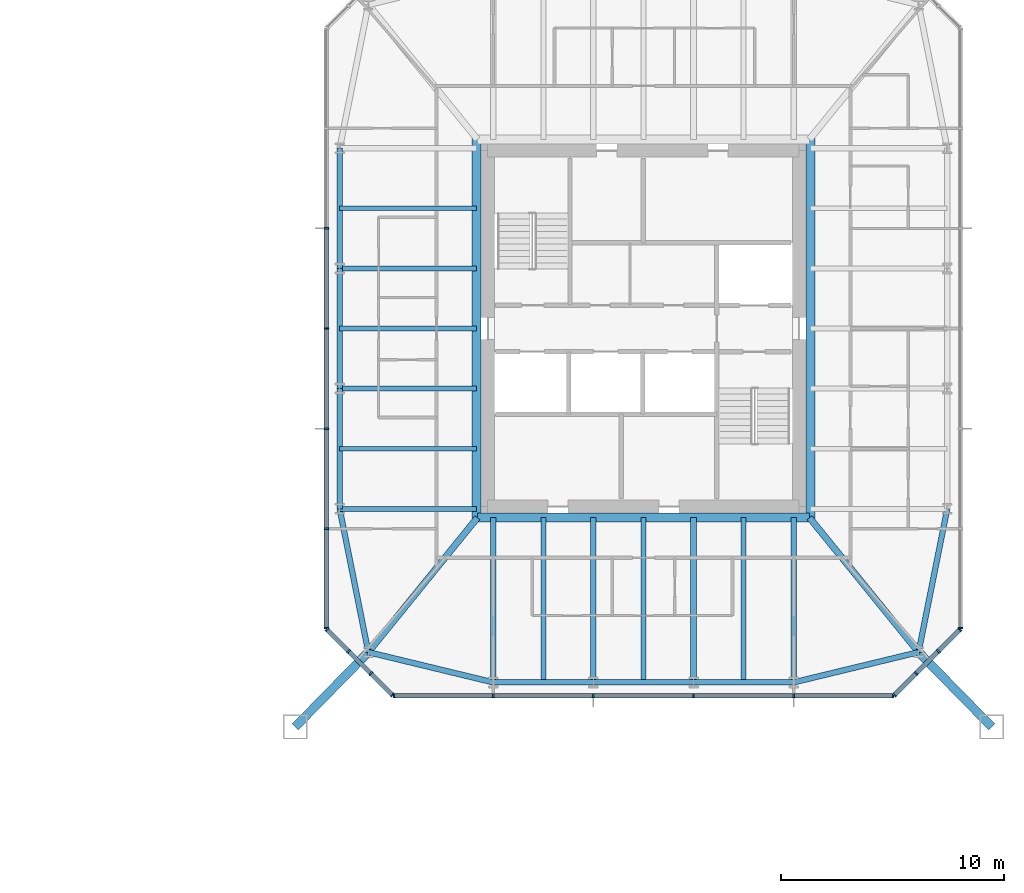
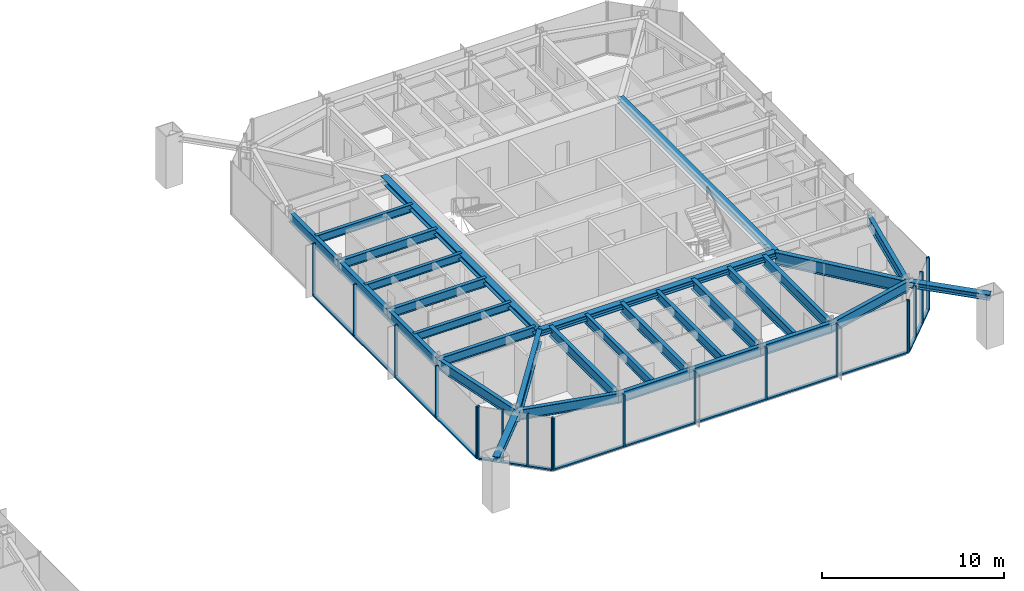
# One storey, part 8 of 25: 37 members, 28 beams, 5 elements without a shape of their own.
"""IFC4 building model written with IfcOpenShell, lengths in metres."""

from ifc_helpers import new_model, si_unit, direction, frame, origin, origin_2d, place, context, subcontext, project, spatial, rectangle, i_section, extrude, material, material_profile, profile_set, type_object, element, aggregate, save


model = new_model("IFC4")

# Units and contexts
model_context = context("Model", 3, precision=1e-05, world=origin(), true_north=direction((0.0, 1.0)))
body_context = subcontext(model_context, "Body", "Model", "MODEL_VIEW")
ifc_project = project(units=[si_unit("LENGTHUNIT", "METRE"), si_unit("AREAUNIT", "SQUARE_METRE"), si_unit("VOLUMEUNIT", "CUBIC_METRE"), si_unit("PLANEANGLEUNIT", "RADIAN"), si_unit("MASSUNIT", "GRAM", prefix="KILO")], contexts=[model_context])

# Site, building, storey
site_placement = place(None, origin())
site = spatial("IfcSite", under=ifc_project, at=site_placement, CompositionType="ELEMENT")
building_placement = place(site_placement, origin())
building = spatial("IfcBuilding", under=site, at=building_placement, Name="Iwan Alto Co-Living Towers", CompositionType="ELEMENT")
storey_placement = place(building_placement, frame((0.0, 0.0, 105.0)))
storey = spatial("IfcBuildingStorey", under=building, at=storey_placement, Name="L28", CompositionType="ELEMENT", Elevation=105.0)

# Curtain wall, members
ifc_material_1 = material(Name="Bronze aluminium unitised frame", Category="aluminium")
curtain_wall_type_1 = type_object("IfcCurtainWallType", Name="CURTAIN WALL CW-C", PredefinedType="NOTDEFINED", material=ifc_material_1)
curtain_wall_1_placement = place(storey_placement, origin())
curtain_wall_1 = element("IfcCurtainWall", 1, at=curtain_wall_1_placement, inside=storey, type_object=curtain_wall_type_1, Name="T2 curtain wall S L28", PredefinedType="NOTDEFINED")
ifc_material_2 = material(Name="Aluminium 6063-T6 bronze anodised", Category="aluminium")
ifc_material_profile_1 = material_profile(ifc_material_2, rectangle(XDim=0.199951171875, YDim=0.080078125, at=origin_2d()), Name="AL 80X200")
ifc_profile_set_1 = profile_set([ifc_material_profile_1], Name="Aluminium 6063-T6 bronze anodised")
member_type_1 = type_object("IfcMemberType", Name="CW-C MULLION 80X200", PredefinedType="MULLION", material=ifc_profile_set_1)
member_1_placement = place(storey_placement, frame((51.7900390625, -16.5, 0.0), z_axis=(0.0, 0.0, 1.0), x_axis=(0.0, 1.0, 0.0)))
member_1 = element("IfcMember", 2, at=member_1_placement, type_object=member_type_1, Name="CW-C mullion 1", PredefinedType="MULLION", context=body_context, shape_type="SweptSolid", body=[
    extrude(rectangle(XDim=0.199951171875, YDim=0.080078125, at=origin_2d()), origin(), (0.0, 0.0, 1.0), 3.5),
])
member_2_placement = place(storey_placement, frame((56.25, -16.5, 0.0), z_axis=(0.0, 0.0, 1.0), x_axis=(0.0, 1.0, 0.0)))
member_2 = element("IfcMember", 3, at=member_2_placement, type_object=member_type_1, Name="CW-C mullion 2", PredefinedType="MULLION", context=body_context, shape_type="SweptSolid", body=[
    extrude(rectangle(XDim=0.199951171875, YDim=0.080078125, at=origin_2d()), origin(), (0.0, 0.0, 1.0), 3.5),
])
member_3_placement = place(storey_placement, frame((60.75, -16.5, 0.0), z_axis=(0.0, 0.0, 1.0), x_axis=(0.0, 1.0, 0.0)))
member_3 = element("IfcMember", 4, at=member_3_placement, type_object=member_type_1, Name="CW-C mullion 3", PredefinedType="MULLION", context=body_context, shape_type="SweptSolid", body=[
    extrude(rectangle(XDim=0.199951171875, YDim=0.080078125, at=origin_2d()), origin(), (0.0, 0.0, 1.0), 3.5),
])
member_4_placement = place(storey_placement, frame((65.25, -16.5, 0.0), z_axis=(0.0, 0.0, 1.0), x_axis=(0.0, 1.0, 0.0)))
member_4 = element("IfcMember", 5, at=member_4_placement, type_object=member_type_1, Name="CW-C mullion 4", PredefinedType="MULLION", context=body_context, shape_type="SweptSolid", body=[
    extrude(rectangle(XDim=0.199951171875, YDim=0.080078125, at=origin_2d()), origin(), (0.0, 0.0, 1.0), 3.5),
])
member_5_placement = place(storey_placement, frame((69.75, -16.5, 0.0), z_axis=(0.0, 0.0, 1.0), x_axis=(0.0, 1.0, 0.0)))
member_5 = element("IfcMember", 6, at=member_5_placement, type_object=member_type_1, Name="CW-C mullion 5", PredefinedType="MULLION", context=body_context, shape_type="SweptSolid", body=[
    extrude(rectangle(XDim=0.199951171875, YDim=0.080078125, at=origin_2d()), origin(), (0.0, 0.0, 1.0), 3.5),
])
member_6_placement = place(storey_placement, frame((74.2099609375, -16.5, 0.0), z_axis=(0.0, 0.0, 1.0), x_axis=(0.0, 1.0, 0.0)))
member_6 = element("IfcMember", 7, at=member_6_placement, type_object=member_type_1, Name="CW-C mullion 6", PredefinedType="MULLION", context=body_context, shape_type="SweptSolid", body=[
    extrude(rectangle(XDim=0.199951171875, YDim=0.080078125, at=origin_2d()), origin(), (0.0, 0.0, 1.0), 3.5),
])

# Curtain wall, member
curtain_wall_2_placement = place(storey_placement, origin())
curtain_wall_2 = element("IfcCurtainWall", 8, at=curtain_wall_2_placement, inside=storey, type_object=curtain_wall_type_1, Name="T2 curtain wall E L28", PredefinedType="NOTDEFINED")
member_7_placement = place(storey_placement, frame((77.25, -13.4599609375, 0.0), z_axis=(0.0, 0.0, 1.0), x_axis=(-1.0, 0.0, 0.0)))
member_7 = element("IfcMember", 9, at=member_7_placement, type_object=member_type_1, Name="CW-C mullion 1", PredefinedType="MULLION", context=body_context, shape_type="SweptSolid", body=[
    extrude(rectangle(XDim=0.199951171875, YDim=0.080078125, at=origin_2d()), origin(), (0.0, 0.0, 1.0), 3.5),
])
aggregate(curtain_wall_2, [member_7])

# Curtain wall, members
curtain_wall_3_placement = place(storey_placement, origin())
curtain_wall_3 = element("IfcCurtainWall", 10, at=curtain_wall_3_placement, inside=storey, type_object=curtain_wall_type_1, Name="T2 curtain wall W L28", PredefinedType="NOTDEFINED")
member_8_placement = place(storey_placement, frame((48.75, 4.5, 0.0), z_axis=(0.0, 0.0, 1.0), x_axis=(1.0, 0.0, 0.0)))
member_8 = element("IfcMember", 11, at=member_8_placement, type_object=member_type_1, Name="CW-C mullion 3", PredefinedType="MULLION", context=body_context, shape_type="SweptSolid", body=[
    extrude(rectangle(XDim=0.199951171875, YDim=0.080078125, at=origin_2d()), origin(), (0.0, 0.0, 1.0), 3.5),
])
member_9_placement = place(storey_placement, frame((48.75, 0.0, 0.0), z_axis=(0.0, 0.0, 1.0), x_axis=(1.0, 0.0, 0.0)))
member_9 = element("IfcMember", 12, at=member_9_placement, type_object=member_type_1, Name="CW-C mullion 4", PredefinedType="MULLION", context=body_context, shape_type="SweptSolid", body=[
    extrude(rectangle(XDim=0.199951171875, YDim=0.080078125, at=origin_2d()), origin(), (0.0, 0.0, 1.0), 3.5),
])
member_10_placement = place(storey_placement, frame((48.75, -4.5, 0.0), z_axis=(0.0, 0.0, 1.0), x_axis=(1.0, 0.0, 0.0)))
member_10 = element("IfcMember", 13, at=member_10_placement, type_object=member_type_1, Name="CW-C mullion 5", PredefinedType="MULLION", context=body_context, shape_type="SweptSolid", body=[
    extrude(rectangle(XDim=0.199951171875, YDim=0.080078125, at=origin_2d()), origin(), (0.0, 0.0, 1.0), 3.5),
])
member_11_placement = place(storey_placement, frame((48.75, -9.0, 0.0), z_axis=(0.0, 0.0, 1.0), x_axis=(1.0, 0.0, 0.0)))
member_11 = element("IfcMember", 14, at=member_11_placement, type_object=member_type_1, Name="CW-C mullion 6", PredefinedType="MULLION", context=body_context, shape_type="SweptSolid", body=[
    extrude(rectangle(XDim=0.199951171875, YDim=0.080078125, at=origin_2d()), origin(), (0.0, 0.0, 1.0), 3.5),
])
member_12_placement = place(storey_placement, frame((48.75, -13.4599609375, 0.0), z_axis=(0.0, 0.0, 1.0), x_axis=(1.0, 0.0, 0.0)))
member_12 = element("IfcMember", 15, at=member_12_placement, type_object=member_type_1, Name="CW-C mullion 7", PredefinedType="MULLION", context=body_context, shape_type="SweptSolid", body=[
    extrude(rectangle(XDim=0.199951171875, YDim=0.080078125, at=origin_2d()), origin(), (0.0, 0.0, 1.0), 3.5),
])

# Member
ifc_material_3 = material(Name="Aluminium 6063-T6 bronze anodised", Category="aluminium")
ifc_material_profile_2 = material_profile(ifc_material_3, rectangle(XDim=0.199951171875, YDim=0.10009765625, at=origin_2d()), Name="AL 200X100")
ifc_profile_set_2 = profile_set([ifc_material_profile_2], Name="Aluminium 6063-T6 bronze anodised")
member_type_2 = type_object("IfcMemberType", Name="CW-C TRANSOM 200X100", PredefinedType="USERDEFINED", material=ifc_profile_set_2)
member_13_placement = place(storey_placement, frame((51.830078125, -16.5, 0.050048828125), z_axis=(1.0, 0.0, 0.0), x_axis=(0.0, 1.0, 0.0)))
member_13 = element("IfcMember", 16, at=member_13_placement, type_object=member_type_2, Name="CW-C transom 1.1", ObjectType="TRANSOM", PredefinedType="USERDEFINED", context=body_context, shape_type="SweptSolid", body=[
    extrude(rectangle(XDim=0.199951171875, YDim=0.10009765625, at=origin_2d()), origin(), (0.0, 0.0, 1.0), 4.3798828125),
])

member_14_placement = place(storey_placement, frame((56.2900390625, -16.5, 0.050048828125), z_axis=(1.0, 0.0, 0.0), x_axis=(0.0, 1.0, 0.0)))
member_14 = element("IfcMember", 17, at=member_14_placement, type_object=member_type_2, Name="CW-C transom 2.1", ObjectType="TRANSOM", PredefinedType="USERDEFINED", context=body_context, shape_type="SweptSolid", body=[
    extrude(rectangle(XDim=0.199951171875, YDim=0.10009765625, at=origin_2d()), origin(), (0.0, 0.0, 1.0), 4.419921875),
])

member_15_placement = place(storey_placement, frame((60.7900390625, -16.5, 0.050048828125), z_axis=(1.0, 0.0, 0.0), x_axis=(0.0, 1.0, 0.0)))
member_15 = element("IfcMember", 18, at=member_15_placement, type_object=member_type_2, Name="CW-C transom 3.1", ObjectType="TRANSOM", PredefinedType="USERDEFINED", context=body_context, shape_type="SweptSolid", body=[
    extrude(rectangle(XDim=0.199951171875, YDim=0.10009765625, at=origin_2d()), origin(), (0.0, 0.0, 1.0), 4.419921875),
])

member_16_placement = place(storey_placement, frame((65.2900390625, -16.5, 0.050048828125), z_axis=(1.0, 0.0, 0.0), x_axis=(0.0, 1.0, 0.0)))
member_16 = element("IfcMember", 19, at=member_16_placement, type_object=member_type_2, Name="CW-C transom 4.1", ObjectType="TRANSOM", PredefinedType="USERDEFINED", context=body_context, shape_type="SweptSolid", body=[
    extrude(rectangle(XDim=0.199951171875, YDim=0.10009765625, at=origin_2d()), origin(), (0.0, 0.0, 1.0), 4.419921875),
])

member_17_placement = place(storey_placement, frame((69.7900390625, -16.5, 0.050048828125), z_axis=(1.0, 0.0, 0.0), x_axis=(0.0, 1.0, 0.0)))
member_17 = element("IfcMember", 20, at=member_17_placement, type_object=member_type_2, Name="CW-C transom 5.1", ObjectType="TRANSOM", PredefinedType="USERDEFINED", context=body_context, shape_type="SweptSolid", body=[
    extrude(rectangle(XDim=0.199951171875, YDim=0.10009765625, at=origin_2d()), origin(), (0.0, 0.0, 1.0), 4.3798828125),
])

aggregate(curtain_wall_1, [member_1, member_2, member_3, member_4, member_5, member_6, member_13, member_14, member_15, member_16, member_17])

member_18_placement = place(storey_placement, frame((48.75, 4.4599609375, 0.050048828125), z_axis=(0.0, -1.0, 0.0), x_axis=(1.0, 0.0, 0.0)))
member_18 = element("IfcMember", 21, at=member_18_placement, type_object=member_type_2, Name="CW-C transom 3.1", ObjectType="TRANSOM", PredefinedType="USERDEFINED", context=body_context, shape_type="SweptSolid", body=[
    extrude(rectangle(XDim=0.199951171875, YDim=0.10009765625, at=origin_2d()), origin(), (0.0, 0.0, 1.0), 4.419921875),
])

member_19_placement = place(storey_placement, frame((48.75, -0.0400390625, 0.050048828125), z_axis=(0.0, -1.0, 0.0), x_axis=(1.0, 0.0, 0.0)))
member_19 = element("IfcMember", 22, at=member_19_placement, type_object=member_type_2, Name="CW-C transom 4.1", ObjectType="TRANSOM", PredefinedType="USERDEFINED", context=body_context, shape_type="SweptSolid", body=[
    extrude(rectangle(XDim=0.199951171875, YDim=0.10009765625, at=origin_2d()), origin(), (0.0, 0.0, 1.0), 4.419921875),
])

member_20_placement = place(storey_placement, frame((48.75, -4.5400390625, 0.050048828125), z_axis=(0.0, -1.0, 0.0), x_axis=(1.0, 0.0, 0.0)))
member_20 = element("IfcMember", 23, at=member_20_placement, type_object=member_type_2, Name="CW-C transom 5.1", ObjectType="TRANSOM", PredefinedType="USERDEFINED", context=body_context, shape_type="SweptSolid", body=[
    extrude(rectangle(XDim=0.199951171875, YDim=0.10009765625, at=origin_2d()), origin(), (0.0, 0.0, 1.0), 4.419921875),
])

member_21_placement = place(storey_placement, frame((48.75, -9.0400390625, 0.050048828125), z_axis=(0.0, -1.0, 0.0), x_axis=(1.0, 0.0, 0.0)))
member_21 = element("IfcMember", 24, at=member_21_placement, type_object=member_type_2, Name="CW-C transom 6.1", ObjectType="TRANSOM", PredefinedType="USERDEFINED", context=body_context, shape_type="SweptSolid", body=[
    extrude(rectangle(XDim=0.199951171875, YDim=0.10009765625, at=origin_2d()), origin(), (0.0, 0.0, 1.0), 4.3798828125),
])

aggregate(curtain_wall_3, [member_8, member_9, member_10, member_11, member_12, member_18, member_19, member_20, member_21])

# Curtain wall, members
ifc_material_4 = material(Name="Bronze aluminium unitised frame", Category="aluminium")
curtain_wall_type_2 = type_object("IfcCurtainWallType", Name="CURTAIN WALL CW-D", PredefinedType="NOTDEFINED", material=ifc_material_4)
curtain_wall_4_placement = place(storey_placement, origin())
curtain_wall_4 = element("IfcCurtainWall", 25, at=curtain_wall_4_placement, inside=storey, type_object=curtain_wall_type_2, Name="T2 chamfer curtain wall SE L28", PredefinedType="NOTDEFINED")
ifc_material_5 = material(Name="Aluminium 6063-T6 bronze anodised", Category="aluminium")
ifc_material_profile_3 = material_profile(ifc_material_5, rectangle(XDim=0.199951171875, YDim=0.080078125, at=origin_2d()), Name="AL 80X200")
ifc_profile_set_3 = profile_set([ifc_material_profile_3], Name="Aluminium 6063-T6 bronze anodised")
member_type_3 = type_object("IfcMemberType", Name="CW-D MULLION 80X200", PredefinedType="MULLION", material=ifc_profile_set_3)
member_22_placement = place(storey_placement, frame((74.2783203125, -16.4716796875, 0.0), z_axis=(0.0, 0.0, 1.0), x_axis=(-0.707106781187, 0.707106781187, 0.0)))
member_22 = element("IfcMember", 26, at=member_22_placement, type_object=member_type_3, Name="CW-D mullion 1", PredefinedType="MULLION", context=body_context, shape_type="SweptSolid", body=[
    extrude(rectangle(XDim=0.199951171875, YDim=0.080078125, at=origin_2d()), origin(), (0.0, 0.0, 1.0), 3.5),
])
member_23_placement = place(storey_placement, frame((75.25, -15.5, 0.0), z_axis=(0.0, 0.0, 1.0), x_axis=(-0.707106781187, 0.707106781187, 0.0)))
member_23 = element("IfcMember", 27, at=member_23_placement, type_object=member_type_3, Name="CW-D mullion 2", PredefinedType="MULLION", context=body_context, shape_type="SweptSolid", body=[
    extrude(rectangle(XDim=0.199951171875, YDim=0.080078125, at=origin_2d()), origin(), (0.0, 0.0, 1.0), 3.5),
])
member_24_placement = place(storey_placement, frame((76.25, -14.5, 0.0), z_axis=(0.0, 0.0, 1.0), x_axis=(-0.707106781187, 0.707106781187, 0.0)))
member_24 = element("IfcMember", 28, at=member_24_placement, type_object=member_type_3, Name="CW-D mullion 3", PredefinedType="MULLION", context=body_context, shape_type="SweptSolid", body=[
    extrude(rectangle(XDim=0.199951171875, YDim=0.080078125, at=origin_2d()), origin(), (0.0, 0.0, 1.0), 3.5),
])
member_25_placement = place(storey_placement, frame((77.2216796875, -13.5283203125, 0.0), z_axis=(0.0, 0.0, 1.0), x_axis=(-0.707106781187, 0.707106781187, 0.0)))
member_25 = element("IfcMember", 29, at=member_25_placement, type_object=member_type_3, Name="CW-D mullion 4", PredefinedType="MULLION", context=body_context, shape_type="SweptSolid", body=[
    extrude(rectangle(XDim=0.199951171875, YDim=0.080078125, at=origin_2d()), origin(), (0.0, 0.0, 1.0), 3.5),
])

curtain_wall_5_placement = place(storey_placement, origin())
curtain_wall_5 = element("IfcCurtainWall", 30, at=curtain_wall_5_placement, inside=storey, type_object=curtain_wall_type_2, Name="T2 chamfer curtain wall SW L28", PredefinedType="NOTDEFINED")
member_26_placement = place(storey_placement, frame((48.7783203125, -13.5283203125, 0.0), z_axis=(0.0, 0.0, 1.0), x_axis=(0.707106781187, 0.707106781187, 0.0)))
member_26 = element("IfcMember", 31, at=member_26_placement, type_object=member_type_3, Name="CW-D mullion 1", PredefinedType="MULLION", context=body_context, shape_type="SweptSolid", body=[
    extrude(rectangle(XDim=0.199951171875, YDim=0.080078125, at=origin_2d()), origin(), (0.0, 0.0, 1.0), 3.5),
])
member_27_placement = place(storey_placement, frame((49.75, -14.5, 0.0), z_axis=(0.0, 0.0, 1.0), x_axis=(0.707106781187, 0.707106781187, 0.0)))
member_27 = element("IfcMember", 32, at=member_27_placement, type_object=member_type_3, Name="CW-D mullion 2", PredefinedType="MULLION", context=body_context, shape_type="SweptSolid", body=[
    extrude(rectangle(XDim=0.199951171875, YDim=0.080078125, at=origin_2d()), origin(), (0.0, 0.0, 1.0), 3.5),
])
member_28_placement = place(storey_placement, frame((50.75, -15.5, 0.0), z_axis=(0.0, 0.0, 1.0), x_axis=(0.707106781187, 0.707106781187, 0.0)))
member_28 = element("IfcMember", 33, at=member_28_placement, type_object=member_type_3, Name="CW-D mullion 3", PredefinedType="MULLION", context=body_context, shape_type="SweptSolid", body=[
    extrude(rectangle(XDim=0.199951171875, YDim=0.080078125, at=origin_2d()), origin(), (0.0, 0.0, 1.0), 3.5),
])
member_29_placement = place(storey_placement, frame((51.7216796875, -16.4716796875, 0.0), z_axis=(0.0, 0.0, 1.0), x_axis=(0.707106781187, 0.707106781187, 0.0)))
member_29 = element("IfcMember", 34, at=member_29_placement, type_object=member_type_3, Name="CW-D mullion 4", PredefinedType="MULLION", context=body_context, shape_type="SweptSolid", body=[
    extrude(rectangle(XDim=0.199951171875, YDim=0.080078125, at=origin_2d()), origin(), (0.0, 0.0, 1.0), 3.5),
])

# Member
ifc_material_6 = material(Name="Aluminium 6063-T6 bronze anodised", Category="aluminium")
ifc_material_profile_4 = material_profile(ifc_material_6, rectangle(XDim=0.199951171875, YDim=0.10009765625, at=origin_2d()), Name="AL 200X100")
ifc_profile_set_4 = profile_set([ifc_material_profile_4], Name="Aluminium 6063-T6 bronze anodised")
member_type_4 = type_object("IfcMemberType", Name="CW-D TRANSOM 200X100", PredefinedType="USERDEFINED", material=ifc_profile_set_4)
member_30_placement = place(storey_placement, frame((74.306640625, -16.443359375, 0.050048828125), z_axis=(0.707106781187, 0.707106781187, 0.0), x_axis=(-0.707106781187, 0.707106781187, 0.0)))
member_30 = element("IfcMember", 35, at=member_30_placement, type_object=member_type_4, Name="CW-D transom 1.1", ObjectType="TRANSOM", PredefinedType="USERDEFINED", context=body_context, shape_type="SweptSolid", body=[
    extrude(rectangle(XDim=0.199951171875, YDim=0.10009765625, at=origin_2d()), origin(), (0.0, 0.0, 1.0), 1.2939453125),
])

member_31_placement = place(storey_placement, frame((75.2783203125, -15.4716796875, 0.050048828125), z_axis=(0.707106781187, 0.707106781187, 0.0), x_axis=(-0.707106781187, 0.707106781187, 0.0)))
member_31 = element("IfcMember", 36, at=member_31_placement, type_object=member_type_4, Name="CW-D transom 2.1", ObjectType="TRANSOM", PredefinedType="USERDEFINED", context=body_context, shape_type="SweptSolid", body=[
    extrude(rectangle(XDim=0.199951171875, YDim=0.10009765625, at=origin_2d()), origin(), (0.0, 0.0, 1.0), 1.334228515625),
])

member_32_placement = place(storey_placement, frame((76.2783203125, -14.4716796875, 0.050048828125), z_axis=(0.707106781187, 0.707106781187, 0.0), x_axis=(-0.707106781187, 0.707106781187, 0.0)))
member_32 = element("IfcMember", 37, at=member_32_placement, type_object=member_type_4, Name="CW-D transom 3.1", ObjectType="TRANSOM", PredefinedType="USERDEFINED", context=body_context, shape_type="SweptSolid", body=[
    extrude(rectangle(XDim=0.199951171875, YDim=0.10009765625, at=origin_2d()), origin(), (0.0, 0.0, 1.0), 1.2939453125),
])

aggregate(curtain_wall_4, [member_22, member_23, member_24, member_25, member_30, member_31, member_32])

member_33_placement = place(storey_placement, frame((48.806640625, -13.556640625, 0.050048828125), z_axis=(0.707106781187, -0.707106781187, 0.0), x_axis=(0.707106781187, 0.707106781187, 0.0)))
member_33 = element("IfcMember", 38, at=member_33_placement, type_object=member_type_4, Name="CW-D transom 1.1", ObjectType="TRANSOM", PredefinedType="USERDEFINED", context=body_context, shape_type="SweptSolid", body=[
    extrude(rectangle(XDim=0.199951171875, YDim=0.10009765625, at=origin_2d()), origin(), (0.0, 0.0, 1.0), 1.2939453125),
])

member_34_placement = place(storey_placement, frame((49.7783203125, -14.5283203125, 0.050048828125), z_axis=(0.707106781187, -0.707106781187, 0.0), x_axis=(0.707106781187, 0.707106781187, 0.0)))
member_34 = element("IfcMember", 39, at=member_34_placement, type_object=member_type_4, Name="CW-D transom 2.1", ObjectType="TRANSOM", PredefinedType="USERDEFINED", context=body_context, shape_type="SweptSolid", body=[
    extrude(rectangle(XDim=0.199951171875, YDim=0.10009765625, at=origin_2d()), origin(), (0.0, 0.0, 1.0), 1.334228515625),
])

member_35_placement = place(storey_placement, frame((50.7783203125, -15.5283203125, 0.050048828125), z_axis=(0.707106781187, -0.707106781187, 0.0), x_axis=(0.707106781187, 0.707106781187, 0.0)))
member_35 = element("IfcMember", 40, at=member_35_placement, type_object=member_type_4, Name="CW-D transom 3.1", ObjectType="TRANSOM", PredefinedType="USERDEFINED", context=body_context, shape_type="SweptSolid", body=[
    extrude(rectangle(XDim=0.199951171875, YDim=0.10009765625, at=origin_2d()), origin(), (0.0, 0.0, 1.0), 1.2939453125),
])

aggregate(curtain_wall_5, [member_26, member_27, member_28, member_29, member_33, member_34, member_35])

# Beams
ifc_material_7 = material(Name="Steel ASTM A992 Gr 50", Category="steel")
ifc_material_profile_5 = material_profile(ifc_material_7, i_section(OverallWidth=0.398681640625, OverallDepth=0.385986328125, WebThickness=0.02099609375, FlangeThickness=0.033203125, at=origin_2d()), Name="W14X176")
ifc_profile_set_5 = profile_set([ifc_material_profile_5], Name="Steel ASTM A992 Gr 50")
beam_type_1 = type_object("IfcBeamType", Name="T2 CORE LEDGER BEAM W14X176", PredefinedType="BEAM", material=ifc_profile_set_5)
beam_1_placement = place(storey_placement, frame((55.538330078125, -8.49951171875, 3.076904296875), z_axis=(1.0, 0.0, 0.0), x_axis=(0.0, 1.0, 0.0)))
element("IfcBeam", 41, at=beam_1_placement, inside=storey, type_object=beam_type_1, Name="T2 core ledger beam S L29", PredefinedType="BEAM", context=body_context, shape_type="SweptSolid", body=[
    extrude(i_section(OverallWidth=0.398681640625, OverallDepth=0.385986328125, WebThickness=0.02099609375, FlangeThickness=0.033203125, at=origin_2d()), origin(), (0.0, 0.0, 1.0), 14.92333984375),
])
for number, where, z_axis, x_axis, name in (
    (42, (70.49951171875, -8.5458984375, 3.076904296875), (0.0, 1.0, 0.0), (-1.0, 0.0, 0.0), "T2 core ledger beam E L29"),
    (43, (55.50048828125, 8.5458984375, 3.076904296875), (0.0, -1.0, 0.0), (1.0, 0.0, 0.0), "T2 core ledger beam W L29"),
):
    element("IfcBeam", number, at=place(storey_placement, frame(where, z_axis=z_axis, x_axis=x_axis)), inside=storey, type_object=beam_type_1, Name=name, PredefinedType="BEAM", context=body_context, shape_type="SweptSolid", body=[
        extrude(i_section(OverallWidth=0.398681640625, OverallDepth=0.385986328125, WebThickness=0.02099609375, FlangeThickness=0.033203125, at=origin_2d()), origin(), (0.0, 0.0, 1.0), 17.091796875),
    ])
ifc_material_8 = material(Name="Steel ASTM A992 Gr 50", Category="steel")
ifc_material_profile_6 = material_profile(ifc_material_8, i_section(OverallWidth=0.2919921875, OverallDepth=0.8408203125, WebThickness=0.0146484375, FlangeThickness=0.021728515625, at=origin_2d()), Name="W33X130")
ifc_profile_set_6 = profile_set([ifc_material_profile_6], Name="Steel ASTM A992 Gr 50")
beam_type_2 = type_object("IfcBeamType", Name="T2 CORNER GIRDER W33X130", PredefinedType="BEAM", material=ifc_profile_set_6)
for number, where, z_axis, x_axis, name in (
    (44, (50.638671875, -14.542724609375, 2.849609375), (0.629783024592, 0.776771100091, 0.0), (-0.776771100091, 0.629783024592, 0.0), "T2 corner girder CSW L29"),
    (45, (75.361328125, -14.542724609375, 2.849609375), (-0.629783024592, 0.776771100091, 0.0), (-0.776771100091, -0.629783024592, 0.0), "T2 corner girder CSE L29"),
):
    element("IfcBeam", number, at=place(storey_placement, frame(where, z_axis=z_axis, x_axis=x_axis)), inside=storey, type_object=beam_type_2, Name=name, PredefinedType="BEAM", context=body_context, shape_type="SweptSolid", body=[
        extrude(i_section(OverallWidth=0.2919921875, OverallDepth=0.8408203125, WebThickness=0.0146484375, FlangeThickness=0.021728515625, at=origin_2d()), origin(), (0.0, 0.0, 1.0), 7.780029296875),
    ])
ifc_material_9 = material(Name="Steel ASTM A992 Gr 50", Category="steel")
ifc_material_profile_7 = material_profile(ifc_material_9, i_section(OverallWidth=0.25390625, OverallDepth=0.683349609375, WebThickness=0.012451171875, FlangeThickness=0.018798828125, at=origin_2d()), Name="W27X94")
ifc_profile_set_7 = profile_set([ifc_material_profile_7], Name="Steel ASTM A992 Gr 50")
beam_type_3 = type_object("IfcBeamType", Name="T2 EDGE BEAM W27X94", PredefinedType="BEAM", material=ifc_profile_set_7)
beam_2_placement = place(storey_placement, frame((50.638671875, -14.542724609375, 2.928466796875), z_axis=(0.971974673138, -0.235085590323, 0.0), x_axis=(0.235085590323, 0.971974673138, 0.0)))
element("IfcBeam", 46, at=beam_2_placement, inside=storey, type_object=beam_type_3, Name="T2 edge beam CSW L29", PredefinedType="BEAM", context=body_context, shape_type="SweptSolid", body=[
    extrude(i_section(OverallWidth=0.25390625, OverallDepth=0.683349609375, WebThickness=0.012451171875, FlangeThickness=0.018798828125, at=origin_2d()), origin(), (0.0, 0.0, 1.0), 5.773193359375),
])
for number, where, z_axis, x_axis, name in (
    (47, (56.25, -15.89990234375, 2.928466796875), (1.0, 0.0, 0.0), (0.0, 1.0, 0.0), "T2 edge beam S1 L29"),
    (48, (60.75, -15.89990234375, 2.928466796875), (1.0, 0.0, 0.0), (0.0, 1.0, 0.0), "T2 edge beam S2 L29"),
    (49, (65.25, -15.89990234375, 2.928466796875), (1.0, 0.0, 0.0), (0.0, 1.0, 0.0), "T2 edge beam S3 L29"),
):
    element("IfcBeam", number, at=place(storey_placement, frame(where, z_axis=z_axis, x_axis=x_axis)), inside=storey, type_object=beam_type_3, Name=name, PredefinedType="BEAM", context=body_context, shape_type="SweptSolid", body=[
        extrude(i_section(OverallWidth=0.25390625, OverallDepth=0.683349609375, WebThickness=0.012451171875, FlangeThickness=0.018798828125, at=origin_2d()), origin(), (0.0, 0.0, 1.0), 4.5),
    ])
beam_3_placement = place(storey_placement, frame((69.75, -15.89990234375, 2.928466796875), z_axis=(0.971974673138, 0.235085590323, 0.0), x_axis=(-0.235085590323, 0.971974673138, 0.0)))
element("IfcBeam", 50, at=beam_3_placement, inside=storey, type_object=beam_type_3, Name="T2 edge beam S4 L29", PredefinedType="BEAM", context=body_context, shape_type="SweptSolid", body=[
    extrude(i_section(OverallWidth=0.25390625, OverallDepth=0.683349609375, WebThickness=0.012451171875, FlangeThickness=0.018798828125, at=origin_2d()), origin(), (0.0, 0.0, 1.0), 5.773193359375),
])
beam_4_placement = place(storey_placement, frame((75.361328125, -14.542724609375, 2.928466796875), z_axis=(0.196123281025, 0.980579246487, 0.0), x_axis=(-0.980579246487, 0.196123281025, 0.0)))
element("IfcBeam", 51, at=beam_4_placement, inside=storey, type_object=beam_type_3, Name="T2 edge beam CSE L29", PredefinedType="BEAM", context=body_context, shape_type="SweptSolid", body=[
    extrude(i_section(OverallWidth=0.25390625, OverallDepth=0.683349609375, WebThickness=0.012451171875, FlangeThickness=0.018798828125, at=origin_2d()), origin(), (0.0, 0.0, 1.0), 6.5703125),
])
beam_5_placement = place(storey_placement, frame((49.35009765625, 8.10009765625, 2.928466796875), z_axis=(0.0, -1.0, 0.0), x_axis=(1.0, 0.0, 0.0)))
element("IfcBeam", 52, at=beam_5_placement, inside=storey, type_object=beam_type_3, Name="T2 edge beam W1 L29", PredefinedType="BEAM", context=body_context, shape_type="SweptSolid", body=[
    extrude(i_section(OverallWidth=0.25390625, OverallDepth=0.683349609375, WebThickness=0.012451171875, FlangeThickness=0.018798828125, at=origin_2d()), origin(), (0.0, 0.0, 1.0), 5.400146484375),
])
beam_6_placement = place(storey_placement, frame((49.35009765625, 2.699951171875, 2.928466796875), z_axis=(0.0, -1.0, 0.0), x_axis=(1.0, 0.0, 0.0)))
element("IfcBeam", 53, at=beam_6_placement, inside=storey, type_object=beam_type_3, Name="T2 edge beam W2 L29", PredefinedType="BEAM", context=body_context, shape_type="SweptSolid", body=[
    extrude(i_section(OverallWidth=0.25390625, OverallDepth=0.683349609375, WebThickness=0.012451171875, FlangeThickness=0.018798828125, at=origin_2d()), origin(), (0.0, 0.0, 1.0), 5.39990234375),
])
beam_7_placement = place(storey_placement, frame((49.35009765625, -2.699951171875, 2.928466796875), z_axis=(0.0, -1.0, 0.0), x_axis=(1.0, 0.0, 0.0)))
element("IfcBeam", 54, at=beam_7_placement, inside=storey, type_object=beam_type_3, Name="T2 edge beam W3 L29", PredefinedType="BEAM", context=body_context, shape_type="SweptSolid", body=[
    extrude(i_section(OverallWidth=0.25390625, OverallDepth=0.683349609375, WebThickness=0.012451171875, FlangeThickness=0.018798828125, at=origin_2d()), origin(), (0.0, 0.0, 1.0), 5.400146484375),
])
beam_8_placement = place(storey_placement, frame((49.35009765625, -8.10009765625, 2.928466796875), z_axis=(0.196123281025, -0.980579246487, 0.0), x_axis=(0.980579246487, 0.196123281025, 0.0)))
element("IfcBeam", 55, at=beam_8_placement, inside=storey, type_object=beam_type_3, Name="T2 edge beam W4 L29", PredefinedType="BEAM", context=body_context, shape_type="SweptSolid", body=[
    extrude(i_section(OverallWidth=0.25390625, OverallDepth=0.683349609375, WebThickness=0.012451171875, FlangeThickness=0.018798828125, at=origin_2d()), origin(), (0.0, 0.0, 1.0), 6.5703125),
])

# Members
ifc_material_10 = material(Name="Steel ASTM A992 Gr 50", Category="steel")
ifc_material_profile_8 = material_profile(ifc_material_10, i_section(OverallWidth=0.393798828125, OverallDepth=0.3759765625, WebThickness=0.017333984375, FlangeThickness=0.027587890625, at=origin_2d()), Name="W14X145")
ifc_profile_set_8 = profile_set([ifc_material_profile_8], Name="Steel ASTM A992 Gr 50")
member_type_5 = type_object("IfcMemberType", Name="T2 MEGA COLUMN FLOOR TIE W14X145", PredefinedType="STRUT", material=ifc_profile_set_8)
for number, where, z_axis, x_axis, name in (
    (56, (47.35009765625, -17.89990234375, 3.08203125), (0.699770096147, 0.714368121166, 0.0), (-0.714368121166, 0.699770096147, 0.0), "T2 mega column floor tie SW L29"),
    (57, (78.64990234375, -17.89990234375, 3.08203125), (-0.699770096147, 0.714368121166, 0.0), (-0.714368121166, -0.699770096147, 0.0), "T2 mega column floor tie SE L29"),
):
    element("IfcMember", number, at=place(storey_placement, frame(where, z_axis=z_axis, x_axis=x_axis)), inside=storey, type_object=member_type_5, Name=name, PredefinedType="STRUT", context=body_context, shape_type="SweptSolid", body=[
        extrude(i_section(OverallWidth=0.393798828125, OverallDepth=0.3759765625, WebThickness=0.017333984375, FlangeThickness=0.027587890625, at=origin_2d()), origin(), (0.0, 0.0, 1.0), 4.699462890625),
    ])

# Beams
ifc_material_11 = material(Name="Steel ASTM A992 Gr 50", Category="steel")
ifc_material_profile_9 = material_profile(ifc_material_11, i_section(OverallWidth=0.228271484375, OverallDepth=0.607177734375, WebThickness=0.01123046875, FlangeThickness=0.017333984375, at=origin_2d()), Name="W24X76")
ifc_profile_set_9 = profile_set([ifc_material_profile_9], Name="Steel ASTM A992 Gr 50")
beam_type_4 = type_object("IfcBeamType", Name="T2 RADIAL BEAM W24X76", PredefinedType="BEAM", material=ifc_profile_set_9)
for number, where, z_axis, x_axis, name in (
    (58, (49.35009765625, 2.699951171875, 2.966552734375), (1.0, 0.0, 0.0), (0.0, 1.0, 0.0), "T2 radial beam W2 L29"),
    (59, (49.35009765625, -2.699951171875, 2.966552734375), (1.0, 0.0, 0.0), (0.0, 1.0, 0.0), "T2 radial beam W3 L29"),
    (60, (49.35009765625, -8.10009765625, 2.966552734375), (1.0, 0.0, 0.0), (0.0, 1.0, 0.0), "T2 radial beam W4 L29"),
):
    element("IfcBeam", number, at=place(storey_placement, frame(where, z_axis=z_axis, x_axis=x_axis)), inside=storey, type_object=beam_type_4, Name=name, PredefinedType="BEAM", context=body_context, shape_type="SweptSolid", body=[
        extrude(i_section(OverallWidth=0.228271484375, OverallDepth=0.607177734375, WebThickness=0.01123046875, FlangeThickness=0.017333984375, at=origin_2d()), origin(), (0.0, 0.0, 1.0), 6.150390625),
    ])
ifc_material_12 = material(Name="Steel ASTM A992 Gr 50", Category="steel")
ifc_material_profile_10 = material_profile(ifc_material_12, i_section(OverallWidth=0.25390625, OverallDepth=0.683349609375, WebThickness=0.012451171875, FlangeThickness=0.018798828125, at=origin_2d()), Name="W27X94")
ifc_profile_set_10 = profile_set([ifc_material_profile_10], Name="Steel ASTM A992 Gr 50")
beam_type_5 = type_object("IfcBeamType", Name="T2 RADIAL BEAM W27X94", PredefinedType="BEAM", material=ifc_profile_set_10)
for number, where, z_axis, x_axis, name in (
    (61, (56.25, -15.89990234375, 2.928466796875), (0.0, 1.0, 0.0), (-1.0, 0.0, 0.0), "T2 radial beam S1 L29"),
    (62, (60.75, -15.89990234375, 2.928466796875), (0.0, 1.0, 0.0), (-1.0, 0.0, 0.0), "T2 radial beam S2 L29"),
    (63, (65.25, -15.89990234375, 2.928466796875), (0.0, 1.0, 0.0), (-1.0, 0.0, 0.0), "T2 radial beam S3 L29"),
    (64, (69.75, -15.89990234375, 2.928466796875), (0.0, 1.0, 0.0), (-1.0, 0.0, 0.0), "T2 radial beam S4 L29"),
):
    element("IfcBeam", number, at=place(storey_placement, frame(where, z_axis=z_axis, x_axis=x_axis)), inside=storey, type_object=beam_type_5, Name=name, PredefinedType="BEAM", context=body_context, shape_type="SweptSolid", body=[
        extrude(i_section(OverallWidth=0.25390625, OverallDepth=0.683349609375, WebThickness=0.012451171875, FlangeThickness=0.018798828125, at=origin_2d()), origin(), (0.0, 0.0, 1.0), 7.400390625),
    ])
ifc_material_13 = material(Name="Steel ASTM A992 Gr 50", Category="steel")
ifc_material_profile_11 = material_profile(ifc_material_13, i_section(OverallWidth=0.209228515625, OverallDepth=0.533447265625, WebThickness=0.01025390625, FlangeThickness=0.015625, at=origin_2d()), Name="W21X62")
ifc_profile_set_11 = profile_set([ifc_material_profile_11], Name="Steel ASTM A992 Gr 50")
beam_type_6 = type_object("IfcBeamType", Name="T2 SECONDARY BEAM W21X62", PredefinedType="JOIST", material=ifc_profile_set_11)
for number, where, z_axis, x_axis, name in (
    (65, (49.35009765625, 5.39990234375, 3.00341796875), (1.0, 0.0, 0.0), (0.0, 1.0, 0.0), "T2 secondary beam W1 L29"),
    (66, (49.35009765625, 0.0, 3.00341796875), (1.0, 0.0, 0.0), (0.0, 1.0, 0.0), "T2 secondary beam W2 L29"),
    (67, (49.35009765625, -5.39990234375, 3.00341796875), (1.0, 0.0, 0.0), (0.0, 1.0, 0.0), "T2 secondary beam W3 L29"),
):
    element("IfcBeam", number, at=place(storey_placement, frame(where, z_axis=z_axis, x_axis=x_axis)), inside=storey, type_object=beam_type_6, Name=name, PredefinedType="JOIST", context=body_context, shape_type="SweptSolid", body=[
        extrude(i_section(OverallWidth=0.209228515625, OverallDepth=0.533447265625, WebThickness=0.01025390625, FlangeThickness=0.015625, at=origin_2d()), origin(), (0.0, 0.0, 1.0), 6.150390625),
    ])
ifc_material_14 = material(Name="Steel ASTM A992 Gr 50", Category="steel")
ifc_material_profile_12 = material_profile(ifc_material_14, i_section(OverallWidth=0.228271484375, OverallDepth=0.607177734375, WebThickness=0.01123046875, FlangeThickness=0.017333984375, at=origin_2d()), Name="W24X76")
ifc_profile_set_12 = profile_set([ifc_material_profile_12], Name="Steel ASTM A992 Gr 50")
beam_type_7 = type_object("IfcBeamType", Name="T2 SECONDARY BEAM W24X76", PredefinedType="JOIST", material=ifc_profile_set_12)
for number, where, z_axis, x_axis, name in (
    (68, (58.5, -15.89990234375, 2.966552734375), (0.0, 1.0, 0.0), (-1.0, 0.0, 0.0), "T2 secondary beam S1 L29"),
    (69, (63.0, -15.89990234375, 2.966552734375), (0.0, 1.0, 0.0), (-1.0, 0.0, 0.0), "T2 secondary beam S2 L29"),
    (70, (67.5, -15.89990234375, 2.966552734375), (0.0, 1.0, 0.0), (-1.0, 0.0, 0.0), "T2 secondary beam S3 L29"),
):
    element("IfcBeam", number, at=place(storey_placement, frame(where, z_axis=z_axis, x_axis=x_axis)), inside=storey, type_object=beam_type_7, Name=name, PredefinedType="JOIST", context=body_context, shape_type="SweptSolid", body=[
        extrude(i_section(OverallWidth=0.228271484375, OverallDepth=0.607177734375, WebThickness=0.01123046875, FlangeThickness=0.017333984375, at=origin_2d()), origin(), (0.0, 0.0, 1.0), 7.400390625),
    ])

save(model, "model.ifc")
